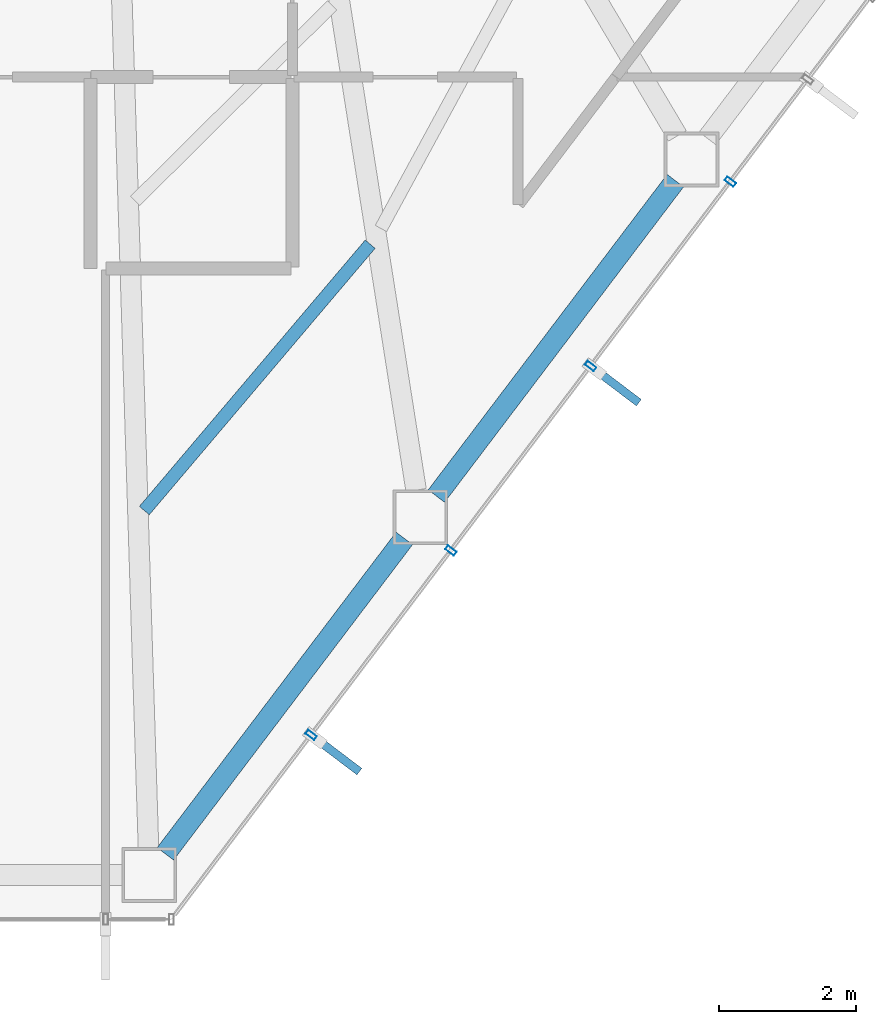
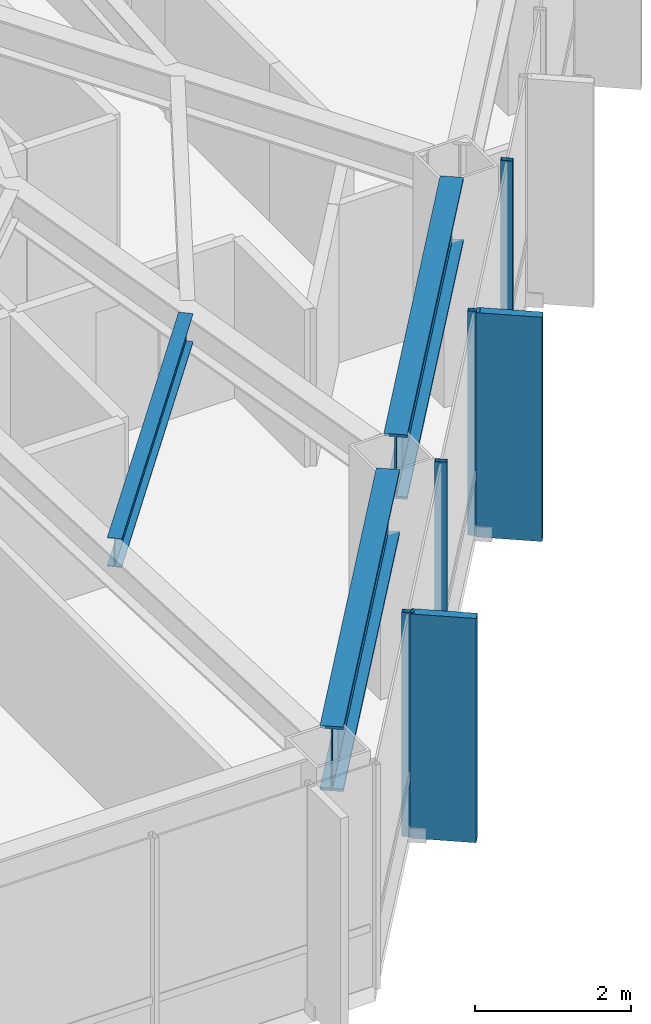
# One storey, part 17 of 28: 6 members, 3 beams, 1 element without a shape of its own.
"""IFC4 building model written with IfcOpenShell, lengths in metres."""

from ifc_helpers import new_model, si_unit, direction, frame, origin, origin_2d, place, context, subcontext, project, spatial, rectangle, hollow_rectangle, i_section, extrude, material, layer, layer_set, material_profile, profile_set, type_object, element, aggregate, save


model = new_model("IFC4")

# Units and contexts
model_context = context("Model", 3, precision=1e-05, world=origin(), true_north=direction((0.0, 1.0)))
body_context = subcontext(model_context, "Body", "Model", "MODEL_VIEW")
ifc_project = project(units=[si_unit("LENGTHUNIT", "METRE"), si_unit("AREAUNIT", "SQUARE_METRE"), si_unit("VOLUMEUNIT", "CUBIC_METRE"), si_unit("PLANEANGLEUNIT", "RADIAN"), si_unit("MASSUNIT", "GRAM", prefix="KILO")], contexts=[model_context])

# Site, building, storey
site_placement = place(None, origin())
site = spatial("IfcSite", under=ifc_project, at=site_placement, CompositionType="ELEMENT")
building_placement = place(site_placement, origin())
building = spatial("IfcBuilding", under=site, at=building_placement, Name="Zarrinselat Tower", CompositionType="ELEMENT")
storey_placement = place(building_placement, frame((0.0, 0.0, 149.60009765625)))
storey = spatial("IfcBuildingStorey", under=building, at=storey_placement, Name="L36", CompositionType="ELEMENT", Elevation=149.60009765625)

# Beams
ifc_material_1 = material(Name="Steel S460M", Category="steel")
ifc_material_profile_1 = material_profile(ifc_material_1, i_section(OverallWidth=0.302001953125, OverallDepth=1.008056640625, WebThickness=0.02099609375, FlangeThickness=0.0400390625, at=origin_2d()), Name="HEM 1000")
ifc_profile_set_1 = profile_set([ifc_material_profile_1], Name="Steel S460M")
beam_type_1 = type_object("IfcBeamType", Name="BM-HEM1000", PredefinedType="BEAM", material=ifc_profile_set_1)
for number, where, z_axis, x_axis, name in (
    (1, (46.49169921875, 18.790771484375, 2.995849609375), (0.603867434816, 0.797084764106, 0.0), (-0.797084764106, 0.603867434816, 0.0), "L36 Perimeter Spandrel Girder SP11"),
    (2, (50.454833984375, 24.022216796875, 2.995849609375), (0.603867434816, 0.797084764106, 0.0), (-0.797084764106, 0.603867434816, 0.0), "L36 Perimeter Spandrel Girder SP12"),
):
    element("IfcBeam", number, at=place(storey_placement, frame(where, z_axis=z_axis, x_axis=x_axis)), inside=storey, type_object=beam_type_1, Name=name, PredefinedType="BEAM", context=body_context, shape_type="SweptSolid", body=[
        extrude(i_section(OverallWidth=0.302001953125, OverallDepth=1.008056640625, WebThickness=0.02099609375, FlangeThickness=0.0400390625, at=origin_2d()), origin(), (0.0, 0.0, 1.0), 5.787109375),
    ])
ifc_material_2 = material(Name="Steel S355J2", Category="steel")
ifc_material_profile_2 = material_profile(ifc_material_2, i_section(OverallWidth=0.18994140625, OverallDepth=0.449951171875, WebThickness=0.009521484375, FlangeThickness=0.0146484375, at=origin_2d()), Name="IPE 450")
ifc_profile_set_2 = profile_set([ifc_material_profile_2], Name="Steel S355J2")
beam_type_2 = type_object("IfcBeamType", Name="BM-IPE450", PredefinedType="JOIST", material=ifc_profile_set_2)
beam_placement = place(storey_placement, frame((46.18408203125, 23.810302734375, 3.27490234375), z_axis=(0.646687670073, 0.762754913046, 0.0), x_axis=(-0.762754913046, 0.646687670073, 0.0)))
element("IfcBeam", 3, at=beam_placement, inside=storey, type_object=beam_type_2, Name="L36 Composite Floor Joist 3-1", PredefinedType="JOIST", context=body_context, shape_type="SweptSolid", body=[
    extrude(i_section(OverallWidth=0.18994140625, OverallDepth=0.449951171875, WebThickness=0.009521484375, FlangeThickness=0.0146484375, at=origin_2d()), origin(), (0.0, 0.0, 1.0), 5.107177734375),
])

# Curtain wall, members
ifc_material_3 = material(Name="Extruded Aluminium Alloy EN AW-6063 T6", Category="aluminium")
ifc_layer = layer(ifc_material_3, 0.175048828125)
ifc_layer_set = layer_set([ifc_layer], Name="Extruded Aluminium Alloy EN AW-6063 T6")
curtain_wall_type = type_object("IfcCurtainWallType", Name="CWS-HTL", PredefinedType="NOTDEFINED", material=ifc_layer_set)
curtain_wall_placement = place(storey_placement, origin())
curtain_wall = element("IfcCurtainWall", 4, at=curtain_wall_placement, inside=storey, type_object=curtain_wall_type, Name="L36 Unitised Curtain Wall CW-L36-E05", PredefinedType="NOTDEFINED")
ifc_material_4 = material(Name="Extruded Aluminium Alloy EN AW-6063 T6", Category="aluminium")
ifc_material_profile_3 = material_profile(ifc_material_4, hollow_rectangle(XDim=0.070068359375, YDim=0.159912109375, WallThickness=0.00390625, at=origin_2d()), Name="RHS 160x70x4")
ifc_profile_set_3 = profile_set([ifc_material_profile_3], Name="Extruded Aluminium Alloy EN AW-6063 T6")
member_type_1 = type_object("IfcMemberType", Name="MEM-CW-MUL2", PredefinedType="MULLION", material=ifc_profile_set_3)
member_1_placement = place(storey_placement, frame((48.62353515625, 20.5283203125, 0.0), z_axis=(0.0, 0.0, 1.0), x_axis=(0.603857687995, 0.797092148154, 0.0)))
member_1 = element("IfcMember", 5, at=member_1_placement, type_object=member_type_1, Name="CW-L36-E05 Mullion 1", PredefinedType="MULLION", context=body_context, shape_type="SweptSolid", body=[
    extrude(hollow_rectangle(XDim=0.070068359375, YDim=0.159912109375, WallThickness=0.00390625, at=origin_2d()), origin(), (0.0, 0.0, 1.0), 3.5),
])
member_2_placement = place(storey_placement, frame((50.666748046875, 23.225341796875, 0.0), z_axis=(0.0, 0.0, 1.0), x_axis=(0.603857687995, 0.797092148154, 0.0)))
member_2 = element("IfcMember", 6, at=member_2_placement, type_object=member_type_1, Name="CW-L36-E05 Mullion 2", PredefinedType="MULLION", context=body_context, shape_type="SweptSolid", body=[
    extrude(hollow_rectangle(XDim=0.070068359375, YDim=0.159912109375, WallThickness=0.00390625, at=origin_2d()), origin(), (0.0, 0.0, 1.0), 3.5),
])
member_3_placement = place(storey_placement, frame((52.7099609375, 25.92236328125, 0.0), z_axis=(0.0, 0.0, 1.0), x_axis=(0.603857687995, 0.797092148154, 0.0)))
member_3 = element("IfcMember", 7, at=member_3_placement, type_object=member_type_1, Name="CW-L36-E05 Mullion 3", PredefinedType="MULLION", context=body_context, shape_type="SweptSolid", body=[
    extrude(hollow_rectangle(XDim=0.070068359375, YDim=0.159912109375, WallThickness=0.00390625, at=origin_2d()), origin(), (0.0, 0.0, 1.0), 3.5),
])
member_4_placement = place(storey_placement, frame((54.7529296875, 28.619140625, 0.0), z_axis=(0.0, 0.0, 1.0), x_axis=(0.603857687995, 0.797092148154, 0.0)))
member_4 = element("IfcMember", 8, at=member_4_placement, type_object=member_type_1, Name="CW-L36-E05 Mullion 4", PredefinedType="MULLION", context=body_context, shape_type="SweptSolid", body=[
    extrude(hollow_rectangle(XDim=0.070068359375, YDim=0.159912109375, WallThickness=0.00390625, at=origin_2d()), origin(), (0.0, 0.0, 1.0), 3.5),
])
ifc_material_5 = material(Name="Honed Cream Travertine Stone", Category="masonry")
ifc_material_profile_4 = material_profile(ifc_material_5, rectangle(XDim=0.1201171875, YDim=0.85009765625, at=origin_2d()), Name="FIN 850x120")
ifc_profile_set_4 = profile_set([ifc_material_profile_4], Name="Honed Cream Travertine Stone")
member_type_2 = type_object("IfcMemberType", Name="MEM-STONE-FIN", PredefinedType="USERDEFINED", material=ifc_profile_set_4)
member_5_placement = place(storey_placement, frame((48.990234375, 20.25048828125, 0.0), z_axis=(0.0, 0.0, 1.0), x_axis=(-0.603857687995, -0.797092148154, 0.0)))
member_5 = element("IfcMember", 9, at=member_5_placement, type_object=member_type_2, Name="L36 Stone Shading Fin CW-L36-E05-01", ObjectType="FIN", PredefinedType="USERDEFINED", context=body_context, shape_type="SweptSolid", body=[
    extrude(rectangle(XDim=0.1201171875, YDim=0.85009765625, at=origin_2d()), origin(), (0.0, 0.0, 1.0), 3.5),
])
member_6_placement = place(storey_placement, frame((53.07666015625, 25.64453125, 0.0), z_axis=(0.0, 0.0, 1.0), x_axis=(-0.603857687995, -0.797092148154, 0.0)))
member_6 = element("IfcMember", 10, at=member_6_placement, type_object=member_type_2, Name="L36 Stone Shading Fin CW-L36-E05-03", ObjectType="FIN", PredefinedType="USERDEFINED", context=body_context, shape_type="SweptSolid", body=[
    extrude(rectangle(XDim=0.1201171875, YDim=0.85009765625, at=origin_2d()), origin(), (0.0, 0.0, 1.0), 3.5),
])
aggregate(curtain_wall, [member_1, member_5, member_2, member_3, member_6, member_4])

save(model, "model.ifc")
